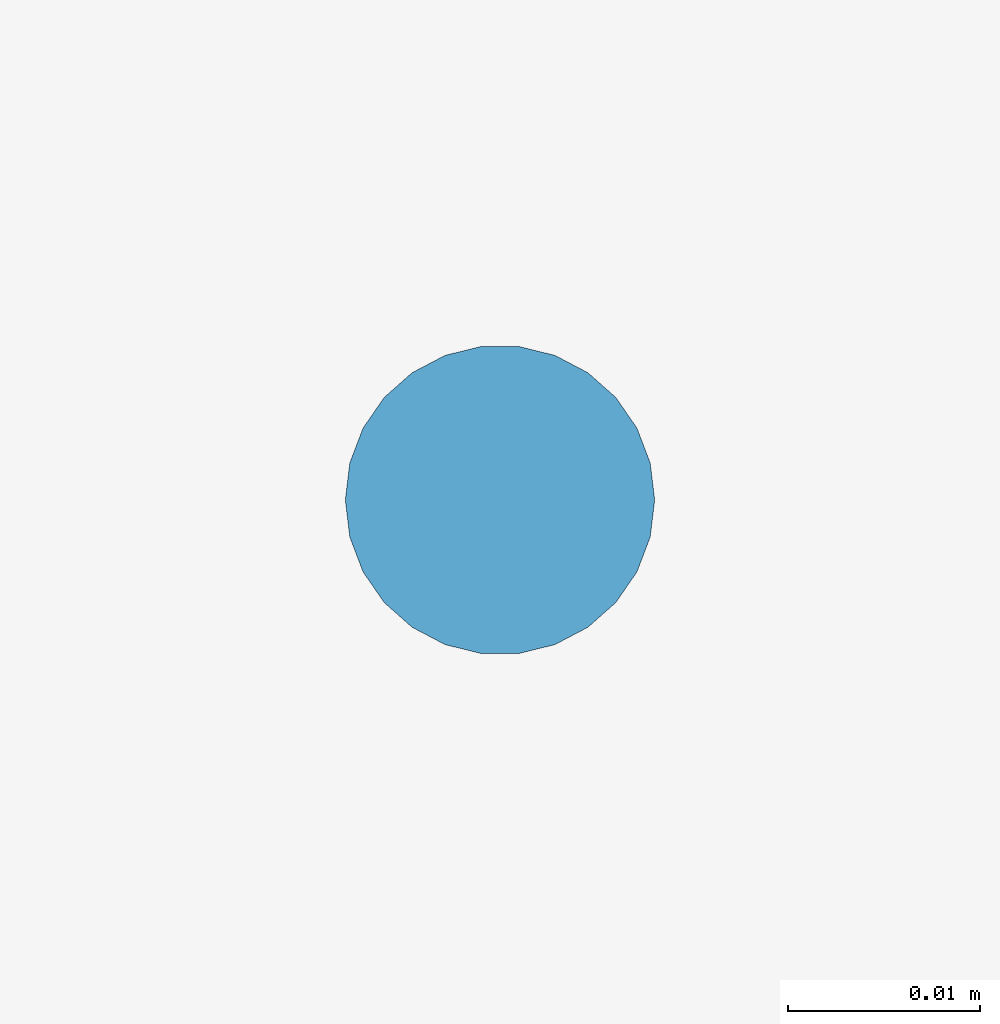
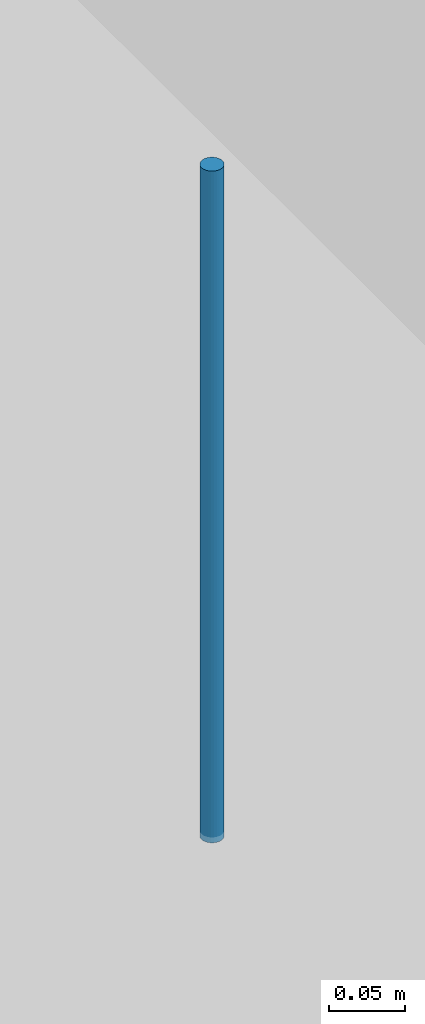
# One storey, part 67 of 82: 1 discrete accessory.
"""IFC4 building model written with IfcOpenShell, lengths in metres."""

from ifc_helpers import new_model, si_unit, direction, frame, origin, origin_2d, place, context, subcontext, project, spatial, circle, extrude, material, type_object, element, save


model = new_model("IFC4")

# Units and contexts
model_context = context("Model", 3, precision=1e-05, world=origin(), true_north=direction((0.0, 1.0)))
body_context = subcontext(model_context, "Body", "Model", "MODEL_VIEW")
ifc_project = project(units=[si_unit("LENGTHUNIT", "METRE"), si_unit("AREAUNIT", "SQUARE_METRE"), si_unit("VOLUMEUNIT", "CUBIC_METRE"), si_unit("PLANEANGLEUNIT", "RADIAN"), si_unit("MASSUNIT", "GRAM", prefix="KILO")], contexts=[model_context])

# Site, building, storey
site_placement = place(None, origin())
site = spatial("IfcSite", under=ifc_project, at=site_placement, CompositionType="ELEMENT")
building_placement = place(site_placement, origin())
building = spatial("IfcBuilding", under=site, at=building_placement, Name="Yukiwa Park Conservatory and Herbarium", CompositionType="ELEMENT")
storey_placement = place(building_placement, origin())
storey = spatial("IfcBuildingStorey", under=building, at=storey_placement, Name="L00", CompositionType="ELEMENT", Elevation=0.0)

# Discrete accessory
ifc_material = material(Name="Steel Q235B", Category="steel")
discrete_accessory_type = type_object("IfcDiscreteAccessoryType", Name="ACC-CEILING-HANGER", PredefinedType="BRACKET", material=ifc_material)
discrete_accessory_placement = place(storey_placement, frame((73.60009765625, 55.89990234375, 4.02490234375), z_axis=(0.0, 0.0, 1.0), x_axis=(1.0, 0.0, 0.0)))
element("IfcDiscreteAccessory", 1, at=discrete_accessory_placement, inside=storey, type_object=discrete_accessory_type, Name="Ceiling suspension hanger rod 2", PredefinedType="BRACKET", context=body_context, shape_type="SweptSolid", body=[
    extrude(circle(Radius=0.008056640625, at=origin_2d()), origin(), (0.0, 0.0, 1.0), 0.5400390625),
])

save(model, "model.ifc")
